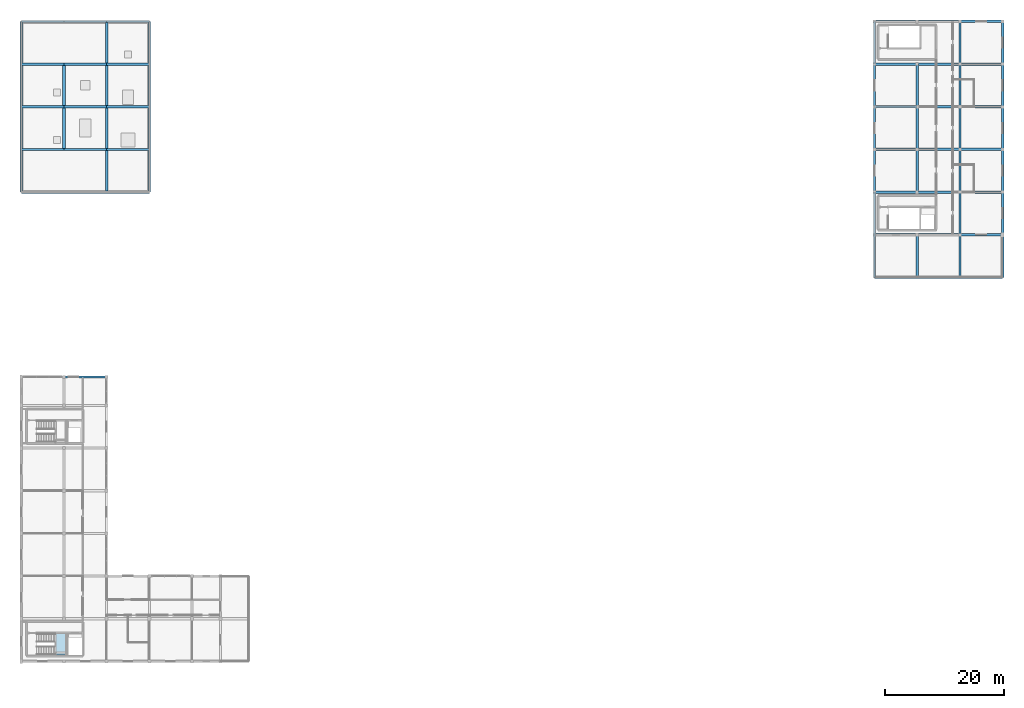
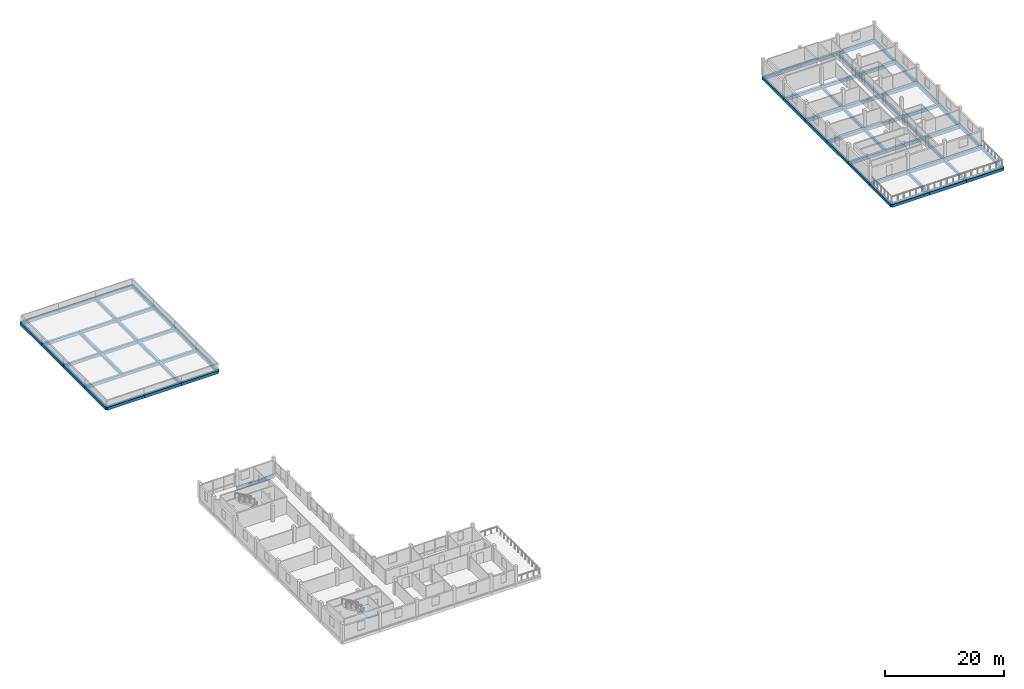
# One storey, part 16 of 26: 73 beams, 1 slab, 1 element without a shape of its own.
"""IFC4 building model written with IfcOpenShell, lengths in metres."""

from ifc_helpers import new_model, si_unit, direction, frame, origin, origin_2d, place, context, subcontext, project, spatial, polyline, rectangle, outline, extrude, material, layer, layer_set, material_profile, profile_set, type_object, element, aggregate, save


model = new_model("IFC4")

# Units and contexts
model_context = context("Model", 3, precision=1e-05, world=origin(), true_north=direction((0.0, 1.0)))
body_context = subcontext(model_context, "Body", "Model", "MODEL_VIEW")
ifc_project = project(units=[si_unit("LENGTHUNIT", "METRE"), si_unit("AREAUNIT", "SQUARE_METRE"), si_unit("VOLUMEUNIT", "CUBIC_METRE"), si_unit("PLANEANGLEUNIT", "RADIAN"), si_unit("MASSUNIT", "GRAM", prefix="KILO")], contexts=[model_context])

# Site, building, storey
site_placement = place(None, origin())
site = spatial("IfcSite", under=ifc_project, at=site_placement, CompositionType="ELEMENT")
building_placement = place(site_placement, origin())
building = spatial("IfcBuilding", under=site, at=building_placement, Name="Zornivar Specialist Clinic", CompositionType="ELEMENT")
storey_placement = place(building_placement, frame((0.0, 0.0, 19.699951171875)))
storey = spatial("IfcBuildingStorey", under=building, at=storey_placement, Name="L05", CompositionType="ELEMENT", Elevation=19.699951171875)

# Beams
ifc_material_1 = material(Name="Concrete C30/37", Category="concrete")
ifc_material_profile_1 = material_profile(ifc_material_1, rectangle(XDim=0.35009765625, YDim=0.60009765625, at=origin_2d()), Name="RC 350x600")
ifc_profile_set_1 = profile_set([ifc_material_profile_1], Name="Concrete C30/37")
beam_type_1 = type_object("IfcBeamType", Name="BM-RC-350x600", PredefinedType="BEAM", material=ifc_profile_set_1)
beam_1_placement = place(storey_placement, frame((7.199951171875, 48.0, -0.579833984375), z_axis=(1.0, 0.0, 0.0), x_axis=(0.0, 1.0, 0.0)))
element("IfcBeam", 1, at=beam_1_placement, inside=storey, type_object=beam_type_1, Name="bm:V2:L05:x:480:1", PredefinedType="BEAM", context=body_context, shape_type="SweptSolid", body=[
    extrude(rectangle(XDim=0.35009765625, YDim=0.60009765625, at=origin_2d()), origin(), (0.0, 0.0, 1.0), 7.199951171875),
])
ifc_material_2 = material(Name="Concrete C30/37", Category="concrete")
ifc_material_profile_2 = material_profile(ifc_material_2, rectangle(XDim=0.360107421875, YDim=0.60009765625, at=origin_2d()), Name="RC 360x600")
ifc_profile_set_2 = profile_set([ifc_material_profile_2], Name="Concrete C30/37")
beam_type_2 = type_object("IfcBeamType", Name="BM-RC-360x600", PredefinedType="BEAM", material=ifc_profile_set_2)
for number, where, z_axis, x_axis, name in (
    (2, (144.0, 64.800048828125, -0.619873046875), (0.0, 1.0, 0.0), (-1.0, 0.0, 0.0), "bm:V6:L05:y:1440:0"),
    (3, (144.0, 72.0, -0.619873046875), (0.0, 1.0, 0.0), (-1.0, 0.0, 0.0), "bm:V6:L05:y:1440:1"),
    (4, (144.0, 79.199951171875, -0.619873046875), (0.0, 1.0, 0.0), (-1.0, 0.0, 0.0), "bm:V6:L05:y:1440:2"),
):
    element("IfcBeam", number, at=place(storey_placement, frame(where, z_axis=z_axis, x_axis=x_axis)), inside=storey, type_object=beam_type_2, Name=name, PredefinedType="BEAM", context=body_context, shape_type="SweptSolid", body=[
        extrude(rectangle(XDim=0.360107421875, YDim=0.60009765625, at=origin_2d()), origin(), (0.0, 0.0, 1.0), 7.199951171875),
    ])
beam_2_placement = place(storey_placement, frame((144.0, 86.39990234375, -0.619873046875), z_axis=(0.0, 1.0, 0.0), x_axis=(-1.0, 0.0, 0.0)))
element("IfcBeam", 5, at=beam_2_placement, inside=storey, type_object=beam_type_2, Name="bm:V6:L05:y:1440:3", PredefinedType="BEAM", context=body_context, shape_type="SweptSolid", body=[
    extrude(rectangle(XDim=0.360107421875, YDim=0.60009765625, at=origin_2d()), origin(), (0.0, 0.0, 1.0), 7.2001953125),
])
for number, where, z_axis, x_axis, name in (
    (6, (144.0, 93.60009765625, -0.619873046875), (0.0, 1.0, 0.0), (-1.0, 0.0, 0.0), "bm:V6:L05:y:1440:4"),
    (7, (144.0, 100.800048828125, -0.619873046875), (0.0, 1.0, 0.0), (-1.0, 0.0, 0.0), "bm:V6:L05:y:1440:5"),
    (8, (151.199951171875, 64.800048828125, -0.619873046875), (0.0, 1.0, 0.0), (-1.0, 0.0, 0.0), "bm:V6:L05:y:1512:0"),
    (9, (151.199951171875, 79.199951171875, -0.619873046875), (0.0, 1.0, 0.0), (-1.0, 0.0, 0.0), "bm:V6:L05:y:1512:2"),
):
    element("IfcBeam", number, at=place(storey_placement, frame(where, z_axis=z_axis, x_axis=x_axis)), inside=storey, type_object=beam_type_2, Name=name, PredefinedType="BEAM", context=body_context, shape_type="SweptSolid", body=[
        extrude(rectangle(XDim=0.360107421875, YDim=0.60009765625, at=origin_2d()), origin(), (0.0, 0.0, 1.0), 7.199951171875),
    ])
beam_3_placement = place(storey_placement, frame((151.199951171875, 86.39990234375, -0.619873046875), z_axis=(0.0, 1.0, 0.0), x_axis=(-1.0, 0.0, 0.0)))
element("IfcBeam", 10, at=beam_3_placement, inside=storey, type_object=beam_type_2, Name="bm:V6:L05:y:1512:3", PredefinedType="BEAM", context=body_context, shape_type="SweptSolid", body=[
    extrude(rectangle(XDim=0.360107421875, YDim=0.60009765625, at=origin_2d()), origin(), (0.0, 0.0, 1.0), 7.2001953125),
])
for number, where, z_axis, x_axis, name in (
    (11, (151.199951171875, 93.60009765625, -0.619873046875), (0.0, 1.0, 0.0), (-1.0, 0.0, 0.0), "bm:V6:L05:y:1512:4"),
    (12, (158.39990234375, 64.800048828125, -0.619873046875), (0.0, 1.0, 0.0), (-1.0, 0.0, 0.0), "bm:V6:L05:y:1584:0"),
    (13, (158.39990234375, 72.0, -0.619873046875), (0.0, 1.0, 0.0), (-1.0, 0.0, 0.0), "bm:V6:L05:y:1584:1"),
    (14, (158.39990234375, 79.199951171875, -0.619873046875), (0.0, 1.0, 0.0), (-1.0, 0.0, 0.0), "bm:V6:L05:y:1584:2"),
):
    element("IfcBeam", number, at=place(storey_placement, frame(where, z_axis=z_axis, x_axis=x_axis)), inside=storey, type_object=beam_type_2, Name=name, PredefinedType="BEAM", context=body_context, shape_type="SweptSolid", body=[
        extrude(rectangle(XDim=0.360107421875, YDim=0.60009765625, at=origin_2d()), origin(), (0.0, 0.0, 1.0), 7.199951171875),
    ])
beam_4_placement = place(storey_placement, frame((158.39990234375, 86.39990234375, -0.619873046875), z_axis=(0.0, 1.0, 0.0), x_axis=(-1.0, 0.0, 0.0)))
element("IfcBeam", 15, at=beam_4_placement, inside=storey, type_object=beam_type_2, Name="bm:V6:L05:y:1584:3", PredefinedType="BEAM", context=body_context, shape_type="SweptSolid", body=[
    extrude(rectangle(XDim=0.360107421875, YDim=0.60009765625, at=origin_2d()), origin(), (0.0, 0.0, 1.0), 7.2001953125),
])
for number, where, z_axis, x_axis, name in (
    (16, (158.39990234375, 93.60009765625, -0.619873046875), (0.0, 1.0, 0.0), (-1.0, 0.0, 0.0), "bm:V6:L05:y:1584:4"),
    (17, (158.39990234375, 100.800048828125, -0.619873046875), (0.0, 1.0, 0.0), (-1.0, 0.0, 0.0), "bm:V6:L05:y:1584:5"),
):
    element("IfcBeam", number, at=place(storey_placement, frame(where, z_axis=z_axis, x_axis=x_axis)), inside=storey, type_object=beam_type_2, Name=name, PredefinedType="BEAM", context=body_context, shape_type="SweptSolid", body=[
        extrude(rectangle(XDim=0.360107421875, YDim=0.60009765625, at=origin_2d()), origin(), (0.0, 0.0, 1.0), 7.199951171875),
    ])
ifc_material_3 = material(Name="Concrete C30/37", Category="concrete")
ifc_material_profile_3 = material_profile(ifc_material_3, rectangle(XDim=0.39990234375, YDim=0.64990234375, at=origin_2d()), Name="RC 400x650")
ifc_profile_set_3 = profile_set([ifc_material_profile_3], Name="Concrete C30/37")
beam_type_3 = type_object("IfcBeamType", Name="BM-RC-400x650", PredefinedType="BEAM", material=ifc_profile_set_3)
for number, where, z_axis, x_axis, name in (
    (18, (0.0, 86.39990234375, -0.56494140625), (1.0, 0.0, 0.0), (0.0, 1.0, 0.0), "bm:V5:L05:x:864:0"),
    (19, (7.199951171875, 86.39990234375, -0.56494140625), (1.0, 0.0, 0.0), (0.0, 1.0, 0.0), "bm:V5:L05:x:864:1"),
):
    element("IfcBeam", number, at=place(storey_placement, frame(where, z_axis=z_axis, x_axis=x_axis)), inside=storey, type_object=beam_type_3, Name=name, PredefinedType="BEAM", context=body_context, shape_type="SweptSolid", body=[
        extrude(rectangle(XDim=0.39990234375, YDim=0.64990234375, at=origin_2d()), origin(), (0.0, 0.0, 1.0), 7.199951171875),
    ])
beam_5_placement = place(storey_placement, frame((14.39990234375, 86.39990234375, -0.56494140625), z_axis=(1.0, 0.0, 0.0), x_axis=(0.0, 1.0, 0.0)))
element("IfcBeam", 20, at=beam_5_placement, inside=storey, type_object=beam_type_3, Name="bm:V5:L05:x:864:2", PredefinedType="BEAM", context=body_context, shape_type="SweptSolid", body=[
    extrude(rectangle(XDim=0.39990234375, YDim=0.64990234375, at=origin_2d()), origin(), (0.0, 0.0, 1.0), 7.2001953125),
])
for number, where, z_axis, x_axis, name in (
    (21, (0.0, 93.60009765625, -0.56494140625), (1.0, 0.0, 0.0), (0.0, 1.0, 0.0), "bm:V5:L05:x:936:0"),
    (22, (7.199951171875, 93.60009765625, -0.56494140625), (1.0, 0.0, 0.0), (0.0, 1.0, 0.0), "bm:V5:L05:x:936:1"),
):
    element("IfcBeam", number, at=place(storey_placement, frame(where, z_axis=z_axis, x_axis=x_axis)), inside=storey, type_object=beam_type_3, Name=name, PredefinedType="BEAM", context=body_context, shape_type="SweptSolid", body=[
        extrude(rectangle(XDim=0.39990234375, YDim=0.64990234375, at=origin_2d()), origin(), (0.0, 0.0, 1.0), 7.199951171875),
    ])
beam_6_placement = place(storey_placement, frame((14.39990234375, 93.60009765625, -0.56494140625), z_axis=(1.0, 0.0, 0.0), x_axis=(0.0, 1.0, 0.0)))
element("IfcBeam", 23, at=beam_6_placement, inside=storey, type_object=beam_type_3, Name="bm:V5:L05:x:936:2", PredefinedType="BEAM", context=body_context, shape_type="SweptSolid", body=[
    extrude(rectangle(XDim=0.39990234375, YDim=0.64990234375, at=origin_2d()), origin(), (0.0, 0.0, 1.0), 7.2001953125),
])
for number, where, z_axis, x_axis, name in (
    (24, (0.0, 100.800048828125, -0.56494140625), (1.0, 0.0, 0.0), (0.0, 1.0, 0.0), "bm:V5:L05:x:1008:0"),
    (25, (7.199951171875, 100.800048828125, -0.56494140625), (1.0, 0.0, 0.0), (0.0, 1.0, 0.0), "bm:V5:L05:x:1008:1"),
):
    element("IfcBeam", number, at=place(storey_placement, frame(where, z_axis=z_axis, x_axis=x_axis)), inside=storey, type_object=beam_type_3, Name=name, PredefinedType="BEAM", context=body_context, shape_type="SweptSolid", body=[
        extrude(rectangle(XDim=0.39990234375, YDim=0.64990234375, at=origin_2d()), origin(), (0.0, 0.0, 1.0), 7.199951171875),
    ])
beam_7_placement = place(storey_placement, frame((14.39990234375, 100.800048828125, -0.56494140625), z_axis=(1.0, 0.0, 0.0), x_axis=(0.0, 1.0, 0.0)))
element("IfcBeam", 26, at=beam_7_placement, inside=storey, type_object=beam_type_3, Name="bm:V5:L05:x:1008:2", PredefinedType="BEAM", context=body_context, shape_type="SweptSolid", body=[
    extrude(rectangle(XDim=0.39990234375, YDim=0.64990234375, at=origin_2d()), origin(), (0.0, 0.0, 1.0), 7.2001953125),
])
for number, where, z_axis, x_axis, name in (
    (27, (0.0, 108.0, -0.56494140625), (1.0, 0.0, 0.0), (0.0, 1.0, 0.0), "bm:V5:L05:x:1080:0"),
    (28, (7.199951171875, 108.0, -0.56494140625), (1.0, 0.0, 0.0), (0.0, 1.0, 0.0), "bm:V5:L05:x:1080:1"),
):
    element("IfcBeam", number, at=place(storey_placement, frame(where, z_axis=z_axis, x_axis=x_axis)), inside=storey, type_object=beam_type_3, Name=name, PredefinedType="BEAM", context=body_context, shape_type="SweptSolid", body=[
        extrude(rectangle(XDim=0.39990234375, YDim=0.64990234375, at=origin_2d()), origin(), (0.0, 0.0, 1.0), 7.199951171875),
    ])
beam_8_placement = place(storey_placement, frame((14.39990234375, 108.0, -0.56494140625), z_axis=(1.0, 0.0, 0.0), x_axis=(0.0, 1.0, 0.0)))
element("IfcBeam", 29, at=beam_8_placement, inside=storey, type_object=beam_type_3, Name="bm:V5:L05:x:1080:2", PredefinedType="BEAM", context=body_context, shape_type="SweptSolid", body=[
    extrude(rectangle(XDim=0.39990234375, YDim=0.64990234375, at=origin_2d()), origin(), (0.0, 0.0, 1.0), 7.2001953125),
])
ifc_material_4 = material(Name="Concrete C30/37", Category="concrete")
ifc_material_profile_4 = material_profile(ifc_material_4, rectangle(XDim=0.419921875, YDim=0.64990234375, at=origin_2d()), Name="RC 420x650")
ifc_profile_set_4 = profile_set([ifc_material_profile_4], Name="Concrete C30/37")
beam_type_4 = type_object("IfcBeamType", Name="BM-RC-420x650", PredefinedType="BEAM", material=ifc_profile_set_4)
for number, where, z_axis, x_axis, name in (
    (30, (144.0, 72.0, -0.64501953125), (1.0, 0.0, 0.0), (0.0, 1.0, 0.0), "bm:V6:L05:x:720:1"),
    (31, (151.199951171875, 72.0, -0.64501953125), (1.0, 0.0, 0.0), (0.0, 1.0, 0.0), "bm:V6:L05:x:720:2"),
):
    element("IfcBeam", number, at=place(storey_placement, frame(where, z_axis=z_axis, x_axis=x_axis)), inside=storey, type_object=beam_type_4, Name=name, PredefinedType="BEAM", context=body_context, shape_type="SweptSolid", body=[
        extrude(rectangle(XDim=0.419921875, YDim=0.64990234375, at=origin_2d()), origin(), (0.0, 0.0, 1.0), 7.199951171875),
    ])
beam_9_placement = place(storey_placement, frame((158.39990234375, 72.0, -0.64501953125), z_axis=(1.0, 0.0, 0.0), x_axis=(0.0, 1.0, 0.0)))
element("IfcBeam", 32, at=beam_9_placement, inside=storey, type_object=beam_type_4, Name="bm:V6:L05:x:720:3", PredefinedType="BEAM", context=body_context, shape_type="SweptSolid", body=[
    extrude(rectangle(XDim=0.419921875, YDim=0.64990234375, at=origin_2d()), origin(), (0.0, 0.0, 1.0), 7.2001953125),
])
for number, where, z_axis, x_axis, name in (
    (33, (144.0, 79.199951171875, -0.64501953125), (1.0, 0.0, 0.0), (0.0, 1.0, 0.0), "bm:V6:L05:x:792:1"),
    (34, (151.199951171875, 79.199951171875, -0.64501953125), (1.0, 0.0, 0.0), (0.0, 1.0, 0.0), "bm:V6:L05:x:792:2"),
):
    element("IfcBeam", number, at=place(storey_placement, frame(where, z_axis=z_axis, x_axis=x_axis)), inside=storey, type_object=beam_type_4, Name=name, PredefinedType="BEAM", context=body_context, shape_type="SweptSolid", body=[
        extrude(rectangle(XDim=0.419921875, YDim=0.64990234375, at=origin_2d()), origin(), (0.0, 0.0, 1.0), 7.199951171875),
    ])
beam_10_placement = place(storey_placement, frame((158.39990234375, 79.199951171875, -0.64501953125), z_axis=(1.0, 0.0, 0.0), x_axis=(0.0, 1.0, 0.0)))
element("IfcBeam", 35, at=beam_10_placement, inside=storey, type_object=beam_type_4, Name="bm:V6:L05:x:792:3", PredefinedType="BEAM", context=body_context, shape_type="SweptSolid", body=[
    extrude(rectangle(XDim=0.419921875, YDim=0.64990234375, at=origin_2d()), origin(), (0.0, 0.0, 1.0), 7.2001953125),
])
for number, where, z_axis, x_axis, name in (
    (36, (144.0, 86.39990234375, -0.64501953125), (1.0, 0.0, 0.0), (0.0, 1.0, 0.0), "bm:V6:L05:x:864:1"),
    (37, (151.199951171875, 86.39990234375, -0.64501953125), (1.0, 0.0, 0.0), (0.0, 1.0, 0.0), "bm:V6:L05:x:864:2"),
):
    element("IfcBeam", number, at=place(storey_placement, frame(where, z_axis=z_axis, x_axis=x_axis)), inside=storey, type_object=beam_type_4, Name=name, PredefinedType="BEAM", context=body_context, shape_type="SweptSolid", body=[
        extrude(rectangle(XDim=0.419921875, YDim=0.64990234375, at=origin_2d()), origin(), (0.0, 0.0, 1.0), 7.199951171875),
    ])
beam_11_placement = place(storey_placement, frame((158.39990234375, 86.39990234375, -0.64501953125), z_axis=(1.0, 0.0, 0.0), x_axis=(0.0, 1.0, 0.0)))
element("IfcBeam", 38, at=beam_11_placement, inside=storey, type_object=beam_type_4, Name="bm:V6:L05:x:864:3", PredefinedType="BEAM", context=body_context, shape_type="SweptSolid", body=[
    extrude(rectangle(XDim=0.419921875, YDim=0.64990234375, at=origin_2d()), origin(), (0.0, 0.0, 1.0), 7.2001953125),
])
for number, where, z_axis, x_axis, name in (
    (39, (144.0, 93.60009765625, -0.64501953125), (1.0, 0.0, 0.0), (0.0, 1.0, 0.0), "bm:V6:L05:x:936:1"),
    (40, (151.199951171875, 93.60009765625, -0.64501953125), (1.0, 0.0, 0.0), (0.0, 1.0, 0.0), "bm:V6:L05:x:936:2"),
):
    element("IfcBeam", number, at=place(storey_placement, frame(where, z_axis=z_axis, x_axis=x_axis)), inside=storey, type_object=beam_type_4, Name=name, PredefinedType="BEAM", context=body_context, shape_type="SweptSolid", body=[
        extrude(rectangle(XDim=0.419921875, YDim=0.64990234375, at=origin_2d()), origin(), (0.0, 0.0, 1.0), 7.199951171875),
    ])
beam_12_placement = place(storey_placement, frame((158.39990234375, 93.60009765625, -0.64501953125), z_axis=(1.0, 0.0, 0.0), x_axis=(0.0, 1.0, 0.0)))
element("IfcBeam", 41, at=beam_12_placement, inside=storey, type_object=beam_type_4, Name="bm:V6:L05:x:936:3", PredefinedType="BEAM", context=body_context, shape_type="SweptSolid", body=[
    extrude(rectangle(XDim=0.419921875, YDim=0.64990234375, at=origin_2d()), origin(), (0.0, 0.0, 1.0), 7.2001953125),
])
for number, where, z_axis, x_axis, name in (
    (42, (144.0, 100.800048828125, -0.64501953125), (1.0, 0.0, 0.0), (0.0, 1.0, 0.0), "bm:V6:L05:x:1008:1"),
    (43, (151.199951171875, 100.800048828125, -0.64501953125), (1.0, 0.0, 0.0), (0.0, 1.0, 0.0), "bm:V6:L05:x:1008:2"),
):
    element("IfcBeam", number, at=place(storey_placement, frame(where, z_axis=z_axis, x_axis=x_axis)), inside=storey, type_object=beam_type_4, Name=name, PredefinedType="BEAM", context=body_context, shape_type="SweptSolid", body=[
        extrude(rectangle(XDim=0.419921875, YDim=0.64990234375, at=origin_2d()), origin(), (0.0, 0.0, 1.0), 7.199951171875),
    ])
beam_13_placement = place(storey_placement, frame((158.39990234375, 100.800048828125, -0.64501953125), z_axis=(1.0, 0.0, 0.0), x_axis=(0.0, 1.0, 0.0)))
element("IfcBeam", 44, at=beam_13_placement, inside=storey, type_object=beam_type_4, Name="bm:V6:L05:x:1008:3", PredefinedType="BEAM", context=body_context, shape_type="SweptSolid", body=[
    extrude(rectangle(XDim=0.419921875, YDim=0.64990234375, at=origin_2d()), origin(), (0.0, 0.0, 1.0), 7.2001953125),
])
for number, where, z_axis, x_axis, name in (
    (45, (144.0, 108.0, -0.64501953125), (1.0, 0.0, 0.0), (0.0, 1.0, 0.0), "bm:V6:L05:x:1080:1"),
    (46, (151.199951171875, 108.0, -0.64501953125), (1.0, 0.0, 0.0), (0.0, 1.0, 0.0), "bm:V6:L05:x:1080:2"),
):
    element("IfcBeam", number, at=place(storey_placement, frame(where, z_axis=z_axis, x_axis=x_axis)), inside=storey, type_object=beam_type_4, Name=name, PredefinedType="BEAM", context=body_context, shape_type="SweptSolid", body=[
        extrude(rectangle(XDim=0.419921875, YDim=0.64990234375, at=origin_2d()), origin(), (0.0, 0.0, 1.0), 7.199951171875),
    ])
beam_14_placement = place(storey_placement, frame((158.39990234375, 108.0, -0.64501953125), z_axis=(1.0, 0.0, 0.0), x_axis=(0.0, 1.0, 0.0)))
element("IfcBeam", 47, at=beam_14_placement, inside=storey, type_object=beam_type_4, Name="bm:V6:L05:x:1080:3", PredefinedType="BEAM", context=body_context, shape_type="SweptSolid", body=[
    extrude(rectangle(XDim=0.419921875, YDim=0.64990234375, at=origin_2d()), origin(), (0.0, 0.0, 1.0), 7.2001953125),
])
ifc_material_5 = material(Name="Concrete C30/37", Category="concrete")
ifc_material_profile_5 = material_profile(ifc_material_5, rectangle(XDim=0.449951171875, YDim=0.60009765625, at=origin_2d()), Name="RC 450x600")
ifc_profile_set_5 = profile_set([ifc_material_profile_5], Name="Concrete C30/37")
beam_type_5 = type_object("IfcBeamType", Name="BM-RC-450x600", PredefinedType="BEAM", material=ifc_profile_set_5)
beam_15_placement = place(storey_placement, frame((7.199951171875, 86.39990234375, -0.5400390625), z_axis=(0.0, 1.0, 0.0), x_axis=(-1.0, 0.0, 0.0)))
element("IfcBeam", 48, at=beam_15_placement, inside=storey, type_object=beam_type_5, Name="bm:V5:L05:y:72:1", PredefinedType="BEAM", context=body_context, shape_type="SweptSolid", body=[
    extrude(rectangle(XDim=0.449951171875, YDim=0.60009765625, at=origin_2d()), origin(), (0.0, 0.0, 1.0), 7.2001953125),
])
for number, where, z_axis, x_axis, name in (
    (49, (7.199951171875, 93.60009765625, -0.5400390625), (0.0, 1.0, 0.0), (-1.0, 0.0, 0.0), "bm:V5:L05:y:72:2"),
    (50, (14.39990234375, 79.199951171875, -0.5400390625), (0.0, 1.0, 0.0), (-1.0, 0.0, 0.0), "bm:V5:L05:y:144:0"),
):
    element("IfcBeam", number, at=place(storey_placement, frame(where, z_axis=z_axis, x_axis=x_axis)), inside=storey, type_object=beam_type_5, Name=name, PredefinedType="BEAM", context=body_context, shape_type="SweptSolid", body=[
        extrude(rectangle(XDim=0.449951171875, YDim=0.60009765625, at=origin_2d()), origin(), (0.0, 0.0, 1.0), 7.199951171875),
    ])
beam_16_placement = place(storey_placement, frame((14.39990234375, 86.39990234375, -0.5400390625), z_axis=(0.0, 1.0, 0.0), x_axis=(-1.0, 0.0, 0.0)))
element("IfcBeam", 51, at=beam_16_placement, inside=storey, type_object=beam_type_5, Name="bm:V5:L05:y:144:1", PredefinedType="BEAM", context=body_context, shape_type="SweptSolid", body=[
    extrude(rectangle(XDim=0.449951171875, YDim=0.60009765625, at=origin_2d()), origin(), (0.0, 0.0, 1.0), 7.2001953125),
])
for number, where, z_axis, x_axis, name in (
    (52, (14.39990234375, 93.60009765625, -0.5400390625), (0.0, 1.0, 0.0), (-1.0, 0.0, 0.0), "bm:V5:L05:y:144:2"),
    (53, (14.39990234375, 100.800048828125, -0.5400390625), (0.0, 1.0, 0.0), (-1.0, 0.0, 0.0), "bm:V5:L05:y:144:3"),
    (54, (21.60009765625, 79.199951171875, -0.5400390625), (0.0, 1.0, 0.0), (-1.0, 0.0, 0.0), "bm:V5:L05:y:216:0"),
):
    element("IfcBeam", number, at=place(storey_placement, frame(where, z_axis=z_axis, x_axis=x_axis)), inside=storey, type_object=beam_type_5, Name=name, PredefinedType="BEAM", context=body_context, shape_type="SweptSolid", body=[
        extrude(rectangle(XDim=0.449951171875, YDim=0.60009765625, at=origin_2d()), origin(), (0.0, 0.0, 1.0), 7.199951171875),
    ])
beam_17_placement = place(storey_placement, frame((21.60009765625, 86.39990234375, -0.5400390625), z_axis=(0.0, 1.0, 0.0), x_axis=(-1.0, 0.0, 0.0)))
element("IfcBeam", 55, at=beam_17_placement, inside=storey, type_object=beam_type_5, Name="bm:V5:L05:y:216:1", PredefinedType="BEAM", context=body_context, shape_type="SweptSolid", body=[
    extrude(rectangle(XDim=0.449951171875, YDim=0.60009765625, at=origin_2d()), origin(), (0.0, 0.0, 1.0), 7.2001953125),
])
for number, where, z_axis, x_axis, name in (
    (56, (21.60009765625, 93.60009765625, -0.5400390625), (0.0, 1.0, 0.0), (-1.0, 0.0, 0.0), "bm:V5:L05:y:216:2"),
    (57, (21.60009765625, 100.800048828125, -0.5400390625), (0.0, 1.0, 0.0), (-1.0, 0.0, 0.0), "bm:V5:L05:y:216:3"),
):
    element("IfcBeam", number, at=place(storey_placement, frame(where, z_axis=z_axis, x_axis=x_axis)), inside=storey, type_object=beam_type_5, Name=name, PredefinedType="BEAM", context=body_context, shape_type="SweptSolid", body=[
        extrude(rectangle(XDim=0.449951171875, YDim=0.60009765625, at=origin_2d()), origin(), (0.0, 0.0, 1.0), 7.199951171875),
    ])
ifc_material_6 = material(Name="Concrete C30/37", Category="concrete")
ifc_material_profile_6 = material_profile(ifc_material_6, rectangle(XDim=0.419921875, YDim=0.60009765625, at=origin_2d()), Name="RC 420x600")
ifc_profile_set_6 = profile_set([ifc_material_profile_6], Name="Concrete C30/37")
beam_type_6 = type_object("IfcBeamType", Name="BM-RC-SPANDREL-420x600", PredefinedType="SPANDREL", material=ifc_profile_set_6)
for number, where, z_axis, x_axis, name in (
    (58, (144.0, 64.800048828125, -0.619873046875), (1.0, 0.0, 0.0), (0.0, 1.0, 0.0), "bm:V6:L05:x:648:1"),
    (59, (151.199951171875, 64.800048828125, -0.619873046875), (1.0, 0.0, 0.0), (0.0, 1.0, 0.0), "bm:V6:L05:x:648:2"),
):
    element("IfcBeam", number, at=place(storey_placement, frame(where, z_axis=z_axis, x_axis=x_axis)), inside=storey, type_object=beam_type_6, Name=name, PredefinedType="SPANDREL", context=body_context, shape_type="SweptSolid", body=[
        extrude(rectangle(XDim=0.419921875, YDim=0.60009765625, at=origin_2d()), origin(), (0.0, 0.0, 1.0), 7.199951171875),
    ])
beam_18_placement = place(storey_placement, frame((158.39990234375, 64.800048828125, -0.619873046875), z_axis=(1.0, 0.0, 0.0), x_axis=(0.0, 1.0, 0.0)))
element("IfcBeam", 60, at=beam_18_placement, inside=storey, type_object=beam_type_6, Name="bm:V6:L05:x:648:3", PredefinedType="SPANDREL", context=body_context, shape_type="SweptSolid", body=[
    extrude(rectangle(XDim=0.419921875, YDim=0.60009765625, at=origin_2d()), origin(), (0.0, 0.0, 1.0), 7.2001953125),
])
for number, where, z_axis, x_axis, name in (
    (61, (165.60009765625, 64.800048828125, -0.619873046875), (0.0, 1.0, 0.0), (-1.0, 0.0, 0.0), "bm:V6:L05:y:1656:0"),
    (62, (165.60009765625, 72.0, -0.619873046875), (0.0, 1.0, 0.0), (-1.0, 0.0, 0.0), "bm:V6:L05:y:1656:1"),
    (63, (165.60009765625, 79.199951171875, -0.619873046875), (0.0, 1.0, 0.0), (-1.0, 0.0, 0.0), "bm:V6:L05:y:1656:2"),
):
    element("IfcBeam", number, at=place(storey_placement, frame(where, z_axis=z_axis, x_axis=x_axis)), inside=storey, type_object=beam_type_6, Name=name, PredefinedType="SPANDREL", context=body_context, shape_type="SweptSolid", body=[
        extrude(rectangle(XDim=0.419921875, YDim=0.60009765625, at=origin_2d()), origin(), (0.0, 0.0, 1.0), 7.199951171875),
    ])
beam_19_placement = place(storey_placement, frame((165.60009765625, 86.39990234375, -0.619873046875), z_axis=(0.0, 1.0, 0.0), x_axis=(-1.0, 0.0, 0.0)))
element("IfcBeam", 64, at=beam_19_placement, inside=storey, type_object=beam_type_6, Name="bm:V6:L05:y:1656:3", PredefinedType="SPANDREL", context=body_context, shape_type="SweptSolid", body=[
    extrude(rectangle(XDim=0.419921875, YDim=0.60009765625, at=origin_2d()), origin(), (0.0, 0.0, 1.0), 7.2001953125),
])
for number, where, z_axis, x_axis, name in (
    (65, (165.60009765625, 93.60009765625, -0.619873046875), (0.0, 1.0, 0.0), (-1.0, 0.0, 0.0), "bm:V6:L05:y:1656:4"),
    (66, (165.60009765625, 100.800048828125, -0.619873046875), (0.0, 1.0, 0.0), (-1.0, 0.0, 0.0), "bm:V6:L05:y:1656:5"),
):
    element("IfcBeam", number, at=place(storey_placement, frame(where, z_axis=z_axis, x_axis=x_axis)), inside=storey, type_object=beam_type_6, Name=name, PredefinedType="SPANDREL", context=body_context, shape_type="SweptSolid", body=[
        extrude(rectangle(XDim=0.419921875, YDim=0.60009765625, at=origin_2d()), origin(), (0.0, 0.0, 1.0), 7.199951171875),
    ])
ifc_material_7 = material(Name="Concrete C30/37", Category="concrete")
ifc_material_profile_7 = material_profile(ifc_material_7, rectangle(XDim=0.429931640625, YDim=0.60009765625, at=origin_2d()), Name="RC 430x600")
ifc_profile_set_7 = profile_set([ifc_material_profile_7], Name="Concrete C30/37")
beam_type_7 = type_object("IfcBeamType", Name="BM-RC-SPANDREL-430x600", PredefinedType="SPANDREL", material=ifc_profile_set_7)
for number, where, z_axis, x_axis, name in (
    (67, (0.0, 79.199951171875, -0.5400390625), (1.0, 0.0, 0.0), (0.0, 1.0, 0.0), "bm:V5:L05:x:792:0"),
    (68, (7.199951171875, 79.199951171875, -0.5400390625), (1.0, 0.0, 0.0), (0.0, 1.0, 0.0), "bm:V5:L05:x:792:1"),
):
    element("IfcBeam", number, at=place(storey_placement, frame(where, z_axis=z_axis, x_axis=x_axis)), inside=storey, type_object=beam_type_7, Name=name, PredefinedType="SPANDREL", context=body_context, shape_type="SweptSolid", body=[
        extrude(rectangle(XDim=0.429931640625, YDim=0.60009765625, at=origin_2d()), origin(), (0.0, 0.0, 1.0), 7.199951171875),
    ])
beam_20_placement = place(storey_placement, frame((14.39990234375, 79.199951171875, -0.5400390625), z_axis=(1.0, 0.0, 0.0), x_axis=(0.0, 1.0, 0.0)))
element("IfcBeam", 69, at=beam_20_placement, inside=storey, type_object=beam_type_7, Name="bm:V5:L05:x:792:2", PredefinedType="SPANDREL", context=body_context, shape_type="SweptSolid", body=[
    extrude(rectangle(XDim=0.429931640625, YDim=0.60009765625, at=origin_2d()), origin(), (0.0, 0.0, 1.0), 7.2001953125),
])
beam_21_placement = place(storey_placement, frame((0.0, 79.199951171875, -0.5400390625), z_axis=(0.0, 1.0, 0.0), x_axis=(-1.0, 0.0, 0.0)))
element("IfcBeam", 70, at=beam_21_placement, inside=storey, type_object=beam_type_7, Name="bm:V5:L05:y:0:0", PredefinedType="SPANDREL", context=body_context, shape_type="SweptSolid", body=[
    extrude(rectangle(XDim=0.429931640625, YDim=0.60009765625, at=origin_2d()), origin(), (0.0, 0.0, 1.0), 7.199951171875),
])
beam_22_placement = place(storey_placement, frame((0.0, 86.39990234375, -0.5400390625), z_axis=(0.0, 1.0, 0.0), x_axis=(-1.0, 0.0, 0.0)))
element("IfcBeam", 71, at=beam_22_placement, inside=storey, type_object=beam_type_7, Name="bm:V5:L05:y:0:1", PredefinedType="SPANDREL", context=body_context, shape_type="SweptSolid", body=[
    extrude(rectangle(XDim=0.429931640625, YDim=0.60009765625, at=origin_2d()), origin(), (0.0, 0.0, 1.0), 7.2001953125),
])
for number, where, z_axis, x_axis, name in (
    (72, (0.0, 93.60009765625, -0.5400390625), (0.0, 1.0, 0.0), (-1.0, 0.0, 0.0), "bm:V5:L05:y:0:2"),
    (73, (0.0, 100.800048828125, -0.5400390625), (0.0, 1.0, 0.0), (-1.0, 0.0, 0.0), "bm:V5:L05:y:0:3"),
):
    element("IfcBeam", number, at=place(storey_placement, frame(where, z_axis=z_axis, x_axis=x_axis)), inside=storey, type_object=beam_type_7, Name=name, PredefinedType="SPANDREL", context=body_context, shape_type="SweptSolid", body=[
        extrude(rectangle(XDim=0.429931640625, YDim=0.60009765625, at=origin_2d()), origin(), (0.0, 0.0, 1.0), 7.199951171875),
    ])

# Stair, slab
ifc_material_8 = material(Name="Concrete C30/37", Category="concrete")
stair_type = type_object("IfcStairType", Name="STR-CORE-UPPER-3700", PredefinedType="HALF_TURN_STAIR", material=ifc_material_8)
stair_placement = place(storey_placement, origin())
stair = element("IfcStair", 74, at=stair_placement, inside=storey, type_object=stair_type, Name="stair:C1:L05", PredefinedType="HALF_TURN_STAIR")
ifc_material_9 = material(Name="Concrete C30/37", Category="concrete")
ifc_layer = layer(ifc_material_9, 0.179931640625)
ifc_layer_set = layer_set([ifc_layer], Name="Concrete C30/37")
slab_type = type_object("IfcSlabType", Name="SLB-LANDING-180", PredefinedType="LANDING", material=ifc_layer_set)
slab_placement = place(storey_placement, frame((0.0, 0.0, 1.670166015625)))
slab = element("IfcSlab", 75, at=slab_placement, type_object=slab_type, Name="stair:C1:L05:land", PredefinedType="LANDING", context=body_context, shape_type="SweptSolid", body=[
    extrude(outline(polyline([(5.659912109375, 1.080078125), (7.719970703125, 1.080078125), (7.719970703125, 4.719970703125), (5.659912109375, 4.719970703125), (5.659912109375, 1.080078125)])), origin(), (0.0, 0.0, 1.0), 0.179931640625),
])
aggregate(stair, [slab])

save(model, "model.ifc")
